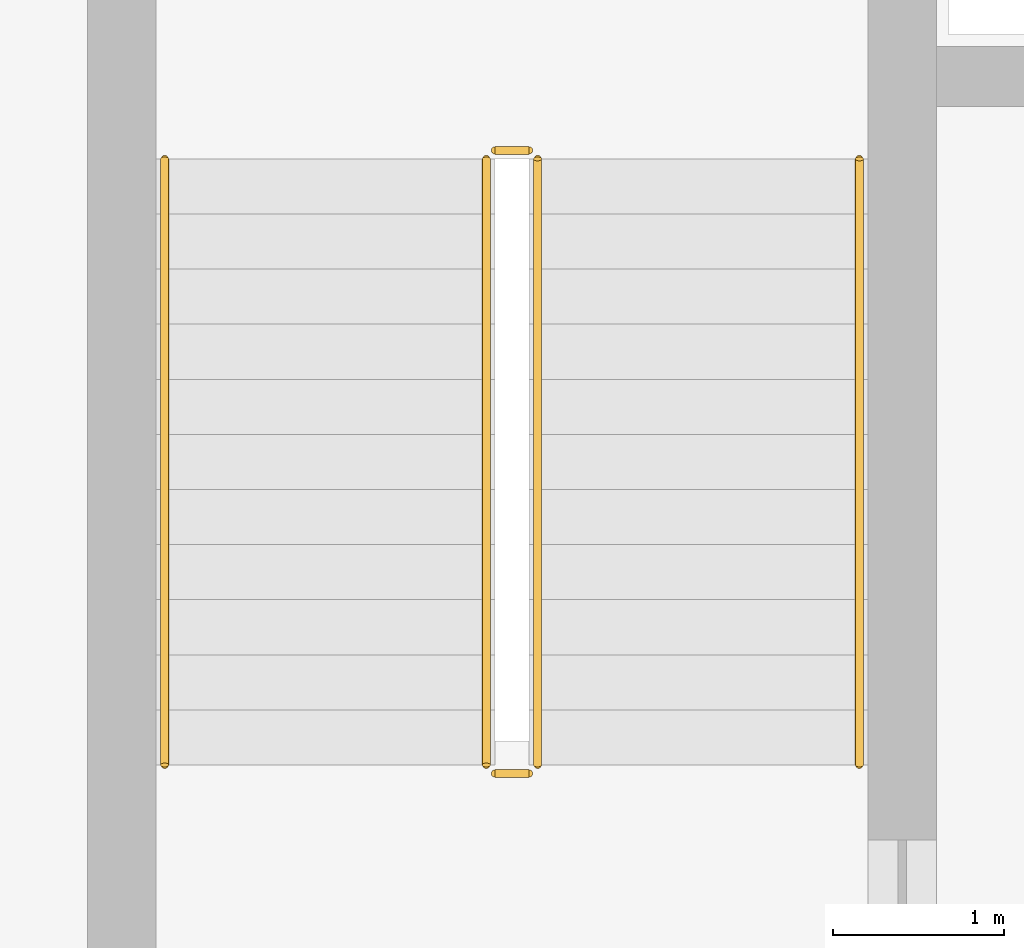
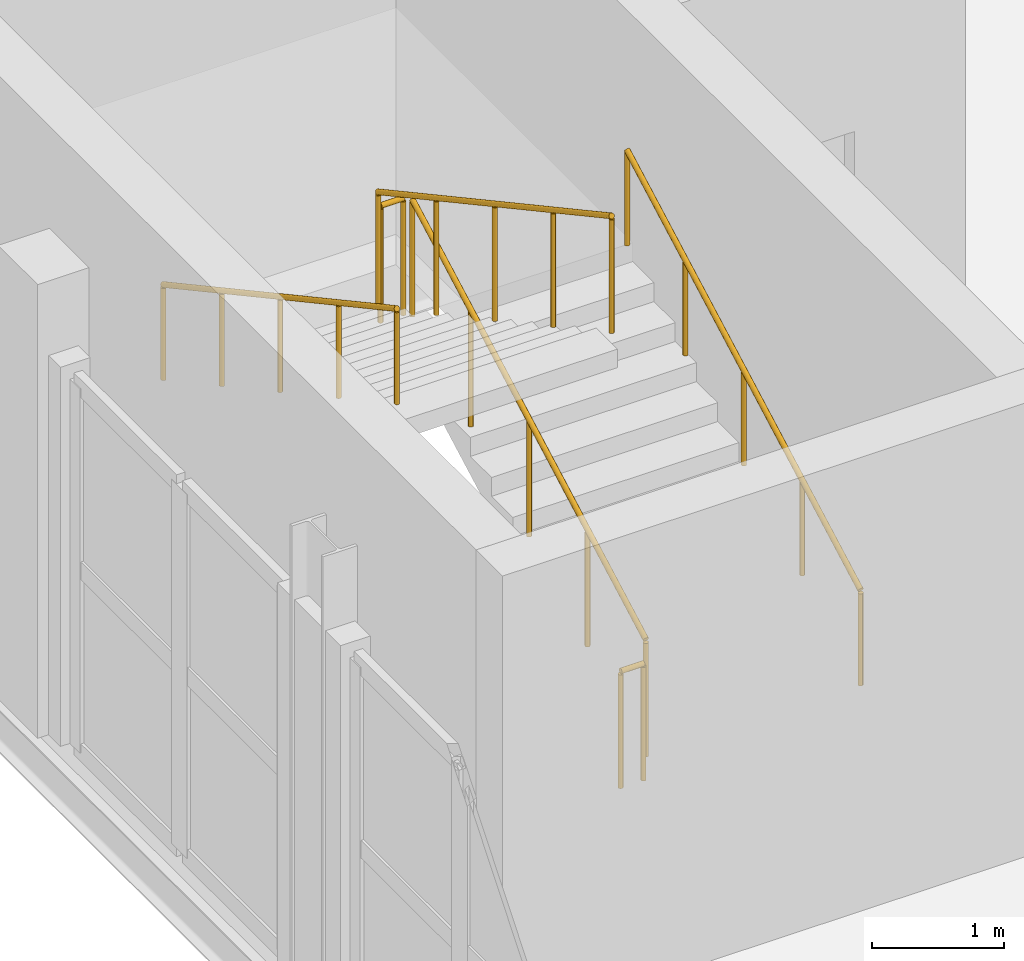
# One storey, part 57 of 58: 6 railings.
"""IFC4 building model written with IfcOpenShell, lengths in metres."""

from ifc_helpers import new_model, si_unit, direction, frame, origin, origin_2d, place, context, subcontext, project, spatial, circle, extrude, material, type_object, element, save


model = new_model("IFC4")

# Units and contexts
model_context = context("Model", 3, precision=1e-05, world=origin(), true_north=direction((0.0, 1.0)))
body_context = subcontext(model_context, "Body", "Model", "MODEL_VIEW")
ifc_project = project(units=[si_unit("LENGTHUNIT", "METRE"), si_unit("AREAUNIT", "SQUARE_METRE"), si_unit("VOLUMEUNIT", "CUBIC_METRE"), si_unit("PLANEANGLEUNIT", "RADIAN"), si_unit("MASSUNIT", "GRAM", prefix="KILO")], contexts=[model_context])

# Site, building, storey
site_placement = place(None, origin())
site = spatial("IfcSite", under=ifc_project, at=site_placement, CompositionType="ELEMENT")
building_placement = place(site_placement, origin())
building = spatial("IfcBuilding", under=site, at=building_placement, Name="Sefraquen Railside Congress Hotel", CompositionType="ELEMENT")
storey_placement = place(building_placement, frame((0.0, 0.0, 16.199951171875)))
storey = spatial("IfcBuildingStorey", under=building, at=storey_placement, Name="L03", CompositionType="ELEMENT", Elevation=16.199951171875)

# Railings
ifc_material = material(Name="Patinated wrought architectural bronze", Category="metal")
railing_type_1 = type_object("IfcRailingType", Name="TRL-BAL-110", PredefinedType="BALUSTRADE", material=ifc_material)
railing_1_placement = place(storey_placement, frame((106.72998046875, 80.72998046875, 0.175048828125)))
element("IfcRailing", 1, at=railing_1_placement, inside=storey, type_object=railing_type_1, Name="L03 ST-M01 stair guard 1", PredefinedType="BALUSTRADE", context=body_context, shape_type="SweptSolid", body=[
    extrude(circle(Radius=0.02392578125, at=origin_2d()), frame((0.0, 0.0, 1.076171875), z_axis=(0.0, 0.878618985891, 0.477523483854), x_axis=(-1.0, 0.0, 0.0)), (0.0, 0.0, 1.0), 4.03125),
    extrude(circle(Radius=0.02099609375, at=origin_2d()), origin(), (0.0, 0.0, 1.0), 1.052001953125),
    extrude(circle(Radius=0.02099609375, at=origin_2d()), frame((0.0, 0.885498046875, 0.481201171875)), (0.0, 0.0, 1.0), 1.052001953125),
    extrude(circle(Radius=0.02099609375, at=origin_2d()), frame((0.0, 1.77099609375, 0.96240234375)), (0.0, 0.0, 1.0), 1.052001953125),
    extrude(circle(Radius=0.02099609375, at=origin_2d()), frame((0.0, 2.656494140625, 1.44384765625)), (0.0, 0.0, 1.0), 1.052001953125),
    extrude(circle(Radius=0.02099609375, at=origin_2d()), frame((0.0, 3.5419921875, 1.925048828125)), (0.0, 0.0, 1.0), 1.052001953125),
])
railing_2_placement = place(storey_placement, frame((106.679931640625, 84.322021484375, 2.10009765625)))
element("IfcRailing", 2, at=railing_2_placement, inside=storey, type_object=railing_type_1, Name="L03 ST-M01 stair guard 2", PredefinedType="BALUSTRADE", context=body_context, shape_type="SweptSolid", body=[
    extrude(circle(Radius=0.02392578125, at=origin_2d()), frame((0.0, 0.0, 1.076171875), z_axis=(-1.0, 0.0, 0.0), x_axis=(0.0, -1.0, 0.0)), (0.0, 0.0, 1.0), 0.199951171875),
    extrude(circle(Radius=0.02099609375, at=origin_2d()), origin(), (0.0, 0.0, 1.0), 1.052001953125),
    extrude(circle(Radius=0.02099609375, at=origin_2d()), frame((-0.199951171875, 0.0, 0.0)), (0.0, 0.0, 1.0), 1.052001953125),
])
railing_3_placement = place(storey_placement, frame((106.429931640625, 84.27197265625, 2.275146484375)))
element("IfcRailing", 3, at=railing_3_placement, inside=storey, type_object=railing_type_1, Name="L03 ST-M01 stair guard 3", PredefinedType="BALUSTRADE", context=body_context, shape_type="SweptSolid", body=[
    extrude(circle(Radius=0.02392578125, at=origin_2d()), frame((0.0, 0.0, 1.076171875), z_axis=(0.0, -0.878644394428, 0.477476730471), x_axis=(1.0, 0.0, 0.0)), (0.0, 0.0, 1.0), 4.03125),
    extrude(circle(Radius=0.02099609375, at=origin_2d()), origin(), (0.0, 0.0, 1.0), 1.052001953125),
    extrude(circle(Radius=0.02099609375, at=origin_2d()), frame((0.0, -0.885498046875, 0.481201171875)), (0.0, 0.0, 1.0), 1.052001953125),
    extrude(circle(Radius=0.02099609375, at=origin_2d()), frame((0.0, -1.77099609375, 0.96240234375)), (0.0, 0.0, 1.0), 1.052001953125),
    extrude(circle(Radius=0.02099609375, at=origin_2d()), frame((0.0, -2.656494140625, 1.443603515625)), (0.0, 0.0, 1.0), 1.052001953125),
    extrude(circle(Radius=0.02099609375, at=origin_2d()), frame((0.0, -3.5419921875, 1.9248046875)), (0.0, 0.0, 1.0), 1.052001953125),
])
railing_4_placement = place(storey_placement, frame((106.679931640625, 80.679931640625, 0.0)))
element("IfcRailing", 4, at=railing_4_placement, inside=storey, type_object=railing_type_1, Name="L03 ST-M01 stair guard 4", PredefinedType="BALUSTRADE", context=body_context, shape_type="SweptSolid", body=[
    extrude(circle(Radius=0.02392578125, at=origin_2d()), frame((0.0, 0.0, 1.076171875), z_axis=(-1.0, 0.0, 0.0), x_axis=(0.0, -1.0, 0.0)), (0.0, 0.0, 1.0), 0.199951171875),
    extrude(circle(Radius=0.02099609375, at=origin_2d()), origin(), (0.0, 0.0, 1.0), 1.052001953125),
    extrude(circle(Radius=0.02099609375, at=origin_2d()), frame((-0.199951171875, 0.0, 0.0)), (0.0, 0.0, 1.0), 1.052001953125),
])
railing_type_2 = type_object("IfcRailingType", Name="TRL-HR-090", PredefinedType="HANDRAIL", material=ifc_material)
railing_5_placement = place(storey_placement, frame((108.610107421875, 80.72998046875, 0.175048828125)))
element("IfcRailing", 5, at=railing_5_placement, inside=storey, type_object=railing_type_2, Name="L03 ST-M01 stair handrail 1", PredefinedType="HANDRAIL", context=body_context, shape_type="SweptSolid", body=[
    extrude(circle(Radius=0.02392578125, at=origin_2d()), frame((0.0, 0.0, 0.8759765625), z_axis=(0.0, 0.878618985891, 0.477523483854), x_axis=(-1.0, 0.0, 0.0)), (0.0, 0.0, 1.0), 4.03125),
    extrude(circle(Radius=0.02099609375, at=origin_2d()), origin(), (0.0, 0.0, 1.0), 0.851806640625),
    extrude(circle(Radius=0.02099609375, at=origin_2d()), frame((0.0, 0.885498046875, 0.481201171875)), (0.0, 0.0, 1.0), 0.851806640625),
    extrude(circle(Radius=0.02099609375, at=origin_2d()), frame((0.0, 1.77099609375, 0.96240234375)), (0.0, 0.0, 1.0), 0.851806640625),
    extrude(circle(Radius=0.02099609375, at=origin_2d()), frame((0.0, 2.656494140625, 1.44384765625)), (0.0, 0.0, 1.0), 0.851806640625),
    extrude(circle(Radius=0.02099609375, at=origin_2d()), frame((0.0, 3.5419921875, 1.925048828125)), (0.0, 0.0, 1.0), 0.851806640625),
])
railing_6_placement = place(storey_placement, frame((104.550048828125, 84.27197265625, 2.275146484375)))
element("IfcRailing", 6, at=railing_6_placement, inside=storey, type_object=railing_type_2, Name="L03 ST-M01 stair handrail 2", PredefinedType="HANDRAIL", context=body_context, shape_type="SweptSolid", body=[
    extrude(circle(Radius=0.02392578125, at=origin_2d()), frame((0.0, 0.0, 0.8759765625), z_axis=(0.0, -0.878644394428, 0.477476730471), x_axis=(1.0, 0.0, 0.0)), (0.0, 0.0, 1.0), 4.03125),
    extrude(circle(Radius=0.02099609375, at=origin_2d()), origin(), (0.0, 0.0, 1.0), 0.851806640625),
    extrude(circle(Radius=0.02099609375, at=origin_2d()), frame((0.0, -0.885498046875, 0.481201171875)), (0.0, 0.0, 1.0), 0.851806640625),
    extrude(circle(Radius=0.02099609375, at=origin_2d()), frame((0.0, -1.77099609375, 0.96240234375)), (0.0, 0.0, 1.0), 0.851806640625),
    extrude(circle(Radius=0.02099609375, at=origin_2d()), frame((0.0, -2.656494140625, 1.443603515625)), (0.0, 0.0, 1.0), 0.851806640625),
    extrude(circle(Radius=0.02099609375, at=origin_2d()), frame((0.0, -3.5419921875, 1.9248046875)), (0.0, 0.0, 1.0), 0.851806640625),
])

save(model, "model.ifc")
